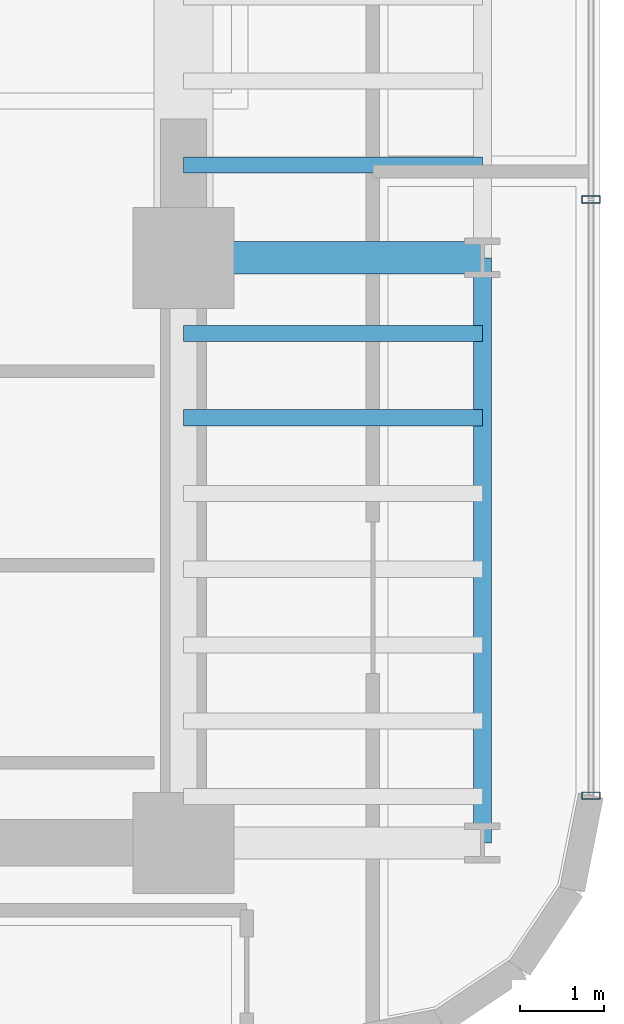
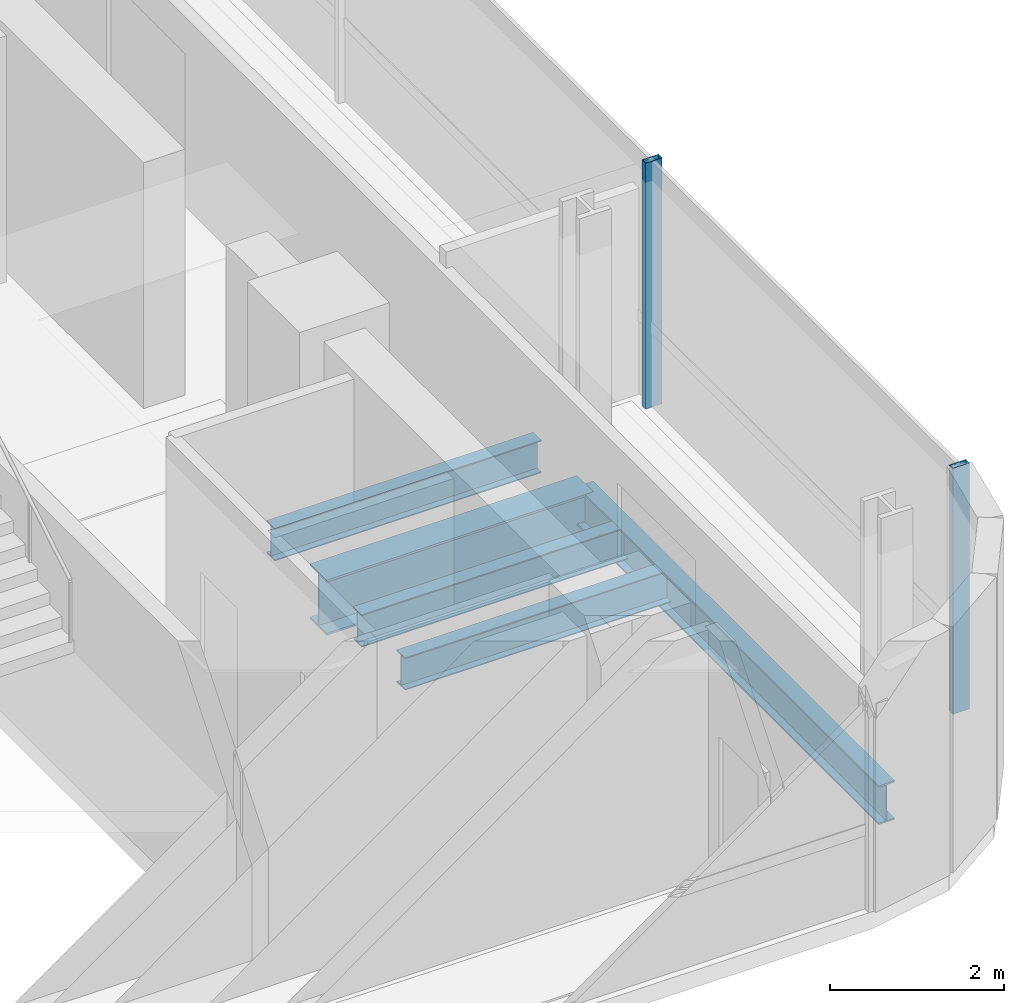
# One storey, part 14 of 34: 5 beams, 2 members, 1 element without a shape of its own.
"""IFC4 building model written with IfcOpenShell, lengths in metres."""

from ifc_helpers import new_model, si_unit, direction, frame, origin, origin_2d, place, context, subcontext, project, spatial, hollow_rectangle, i_section, extrude, source, transform, mapped, material, material_profile, profile_set, type_object, element, aggregate, save


model = new_model("IFC4")

# Units and contexts
model_context = context("Model", 3, precision=1e-05, world=origin(), true_north=direction((0.0, 1.0)))
body_context = subcontext(model_context, "Body", "Model", "MODEL_VIEW")
ifc_project = project(units=[si_unit("LENGTHUNIT", "METRE"), si_unit("AREAUNIT", "SQUARE_METRE"), si_unit("VOLUMEUNIT", "CUBIC_METRE"), si_unit("PLANEANGLEUNIT", "RADIAN"), si_unit("MASSUNIT", "GRAM", prefix="KILO")], contexts=[model_context])

# Site, building, storey
site_placement = place(None, origin())
site = spatial("IfcSite", under=ifc_project, at=site_placement, CompositionType="ELEMENT")
building_placement = place(site_placement, origin())
building = spatial("IfcBuilding", under=site, at=building_placement, Name="Valdorenza Pilgrim Sanctuary Tower", CompositionType="ELEMENT")
storey_placement = place(building_placement, frame((0.0, 0.0, 161.199951171875)))
storey = spatial("IfcBuildingStorey", under=building, at=storey_placement, Name="L41", CompositionType="ELEMENT", Elevation=161.199951171875)

# Beams
ifc_material_1 = material(Name="Steel ASTM A992 Grade 50", Category="steel")
ifc_material_profile_1 = material_profile(ifc_material_1, i_section(OverallWidth=0.214111328125, OverallDepth=0.549072265625, WebThickness=0.0146484375, FlangeThickness=0.023681640625, at=origin_2d()), Name="W21X93")
ifc_profile_set_1 = profile_set([ifc_material_profile_1], Name="Steel ASTM A992 Grade 50")
beam_type_1 = type_object("IfcBeamType", Name="STR-BM-SPN-W21A", PredefinedType="SPANDREL", material=ifc_profile_set_1)
shared_shape_1 = source(origin(), body_context, "Body", "SweptSolid", [
    extrude(i_section(OverallWidth=0.214111328125, OverallDepth=0.549072265625, WebThickness=0.0146484375, FlangeThickness=0.023681640625, at=origin_2d()), origin(), (0.0, 0.0, 1.0), 6.949951171875),
])
beam_1_placement = place(storey_placement, frame((28.39990234375, -9.550048828125, -0.514404296875), z_axis=(0.0, 1.0, 0.0), x_axis=(-1.0, 0.0, 0.0)))
element("IfcBeam", 1, at=beam_1_placement, inside=storey, type_object=beam_type_1, Name="L41 Spandrel Beam WB-E-S1M0", PredefinedType="SPANDREL", context=body_context, shape_type="MappedRepresentation", body=[
    mapped(shared_shape_1, transform((0.0, 0.0, 0.0), x_axis=(1.0, 0.0, 0.0), y_axis=(0.0, 1.0, 0.0), z_axis=(0.0, 0.0, 1.0), scale=1.0)),
])
ifc_material_profile_2 = material_profile(ifc_material_1, i_section(OverallWidth=0.382080078125, OverallDepth=0.779052734375, WebThickness=0.01806640625, FlangeThickness=0.030029296875, at=origin_2d()), Name="W30X191")
ifc_profile_set_2 = profile_set([ifc_material_profile_2], Name="Steel ASTM A992 Grade 50")
beam_type_2 = type_object("IfcBeamType", Name="STR-BM-GRD-W30", PredefinedType="BEAM", material=ifc_profile_set_2)
shared_shape_2 = source(origin(), body_context, "Body", "SweptSolid", [
    extrude(i_section(OverallWidth=0.382080078125, OverallDepth=0.779052734375, WebThickness=0.01806640625, FlangeThickness=0.030029296875, at=origin_2d()), origin(), (0.0, 0.0, 1.0), 3.5498046875),
])
beam_2_placement = place(storey_placement, frame((24.85009765625, -2.60009765625, -0.62939453125), z_axis=(1.0, 0.0, 0.0), x_axis=(0.0, 1.0, 0.0)))
element("IfcBeam", 2, at=beam_2_placement, inside=storey, type_object=beam_type_2, Name="L41 Floor Girder WB-XE-M0", PredefinedType="BEAM", context=body_context, shape_type="MappedRepresentation", body=[
    mapped(shared_shape_2, transform((0.0, 0.0, 0.0), x_axis=(1.0, 0.0, 0.0), y_axis=(0.0, 1.0, 0.0), z_axis=(0.0, 0.0, 1.0), scale=1.0)),
])
ifc_material_profile_3 = material_profile(ifc_material_1, i_section(OverallWidth=0.19091796875, OverallDepth=0.45703125, WebThickness=0.009033203125, FlangeThickness=0.014404296875, at=origin_2d()), Name="W18X50")
ifc_profile_set_3 = profile_set([ifc_material_profile_3], Name="Steel ASTM A992 Grade 50")
beam_type_3 = type_object("IfcBeamType", Name="STR-BM-JST-W18B", PredefinedType="JOIST", material=ifc_profile_set_3)
shared_shape_3 = source(origin(), body_context, "Body", "SweptSolid", [
    extrude(i_section(OverallWidth=0.19091796875, OverallDepth=0.45703125, WebThickness=0.009033203125, FlangeThickness=0.014404296875, at=origin_2d()), origin(), (0.0, 0.0, 1.0), 3.5498046875),
])
for number, where, z_axis, x_axis, name in (
    (3, (24.85009765625, -4.5, -0.468505859375), (1.0, 0.0, 0.0), (0.0, 1.0, 0.0), "L41 Composite Floor Joist JST-WB-6"),
    (4, (24.85009765625, -3.5, -0.468505859375), (1.0, 0.0, 0.0), (0.0, 1.0, 0.0), "L41 Composite Floor Joist JST-WB-7"),
    (5, (24.85009765625, -1.5, -0.468505859375), (1.0, 0.0, 0.0), (0.0, 1.0, 0.0), "L41 Composite Floor Joist JST-WB-8"),
):
    element("IfcBeam", number, at=place(storey_placement, frame(where, z_axis=z_axis, x_axis=x_axis)), inside=storey, type_object=beam_type_3, Name=name, PredefinedType="JOIST", context=body_context, shape_type="MappedRepresentation", body=[
        mapped(shared_shape_3, transform((0.0, 0.0, 0.0), x_axis=(1.0, 0.0, 0.0), y_axis=(0.0, 1.0, 0.0), z_axis=(0.0, 0.0, 1.0), scale=1.0)),
    ])

# Curtain wall, members
ifc_material_2 = material(Name="Curtain-wall IGU glazing", Category="glass")
curtain_wall_type = type_object("IfcCurtainWallType", Name="CW-SYS-03", PredefinedType="NOTDEFINED", material=ifc_material_2)
curtain_wall_placement = place(storey_placement, origin())
curtain_wall = element("IfcCurtainWall", 6, at=curtain_wall_placement, inside=storey, type_object=curtain_wall_type, Name="L41 Curtain Wall CW-L41-2-11", PredefinedType="NOTDEFINED")
ifc_material_3 = material(Name="Anodised aluminium AW-6060", Category="aluminium")
ifc_material_profile_4 = material_profile(ifc_material_3, hollow_rectangle(XDim=0.0849609375, YDim=0.219970703125, WallThickness=0.0048828125, at=origin_2d()), Name="ALU-M 220x85x5")
ifc_profile_set_4 = profile_set([ifc_material_profile_4], Name="Anodised aluminium AW-6060")
member_type = type_object("IfcMemberType", Name="CW-MUL-03", PredefinedType="MULLION", material=ifc_profile_set_4)
shared_shape_4 = source(origin(), body_context, "Body", "SweptSolid", [
    extrude(hollow_rectangle(XDim=0.0849609375, YDim=0.219970703125, WallThickness=0.0048828125, at=origin_2d()), origin(), (0.0, 0.0, 1.0), 3.4599609375),
])
member_1_placement = place(storey_placement, frame((29.68994140625, -1.908447265625, 0.0), z_axis=(0.0, 0.0, 1.0), x_axis=(0.0, -1.0, 0.0)))
member_1 = element("IfcMember", 7, at=member_1_placement, type_object=member_type, Name="CW-L41-2-11 Mullion 3", PredefinedType="MULLION", context=body_context, shape_type="MappedRepresentation", body=[
    mapped(shared_shape_4, transform((0.0, 0.0, 0.0), x_axis=(1.0, 0.0, 0.0), y_axis=(0.0, 1.0, 0.0), z_axis=(0.0, 0.0, 1.0), scale=1.0)),
])
member_2_placement = place(storey_placement, frame((29.68994140625, -8.9892578125, 0.0), z_axis=(0.0, 0.0, 1.0), x_axis=(0.0, -1.0, 0.0)))
member_2 = element("IfcMember", 8, at=member_2_placement, type_object=member_type, Name="CW-L41-2-11 Mullion 4", PredefinedType="MULLION", context=body_context, shape_type="MappedRepresentation", body=[
    mapped(shared_shape_4, transform((0.0, 0.0, 0.0), x_axis=(1.0, 0.0, 0.0), y_axis=(0.0, 1.0, 0.0), z_axis=(0.0, 0.0, 1.0), scale=1.0)),
])
aggregate(curtain_wall, [member_1, member_2])

save(model, "model.ifc")
